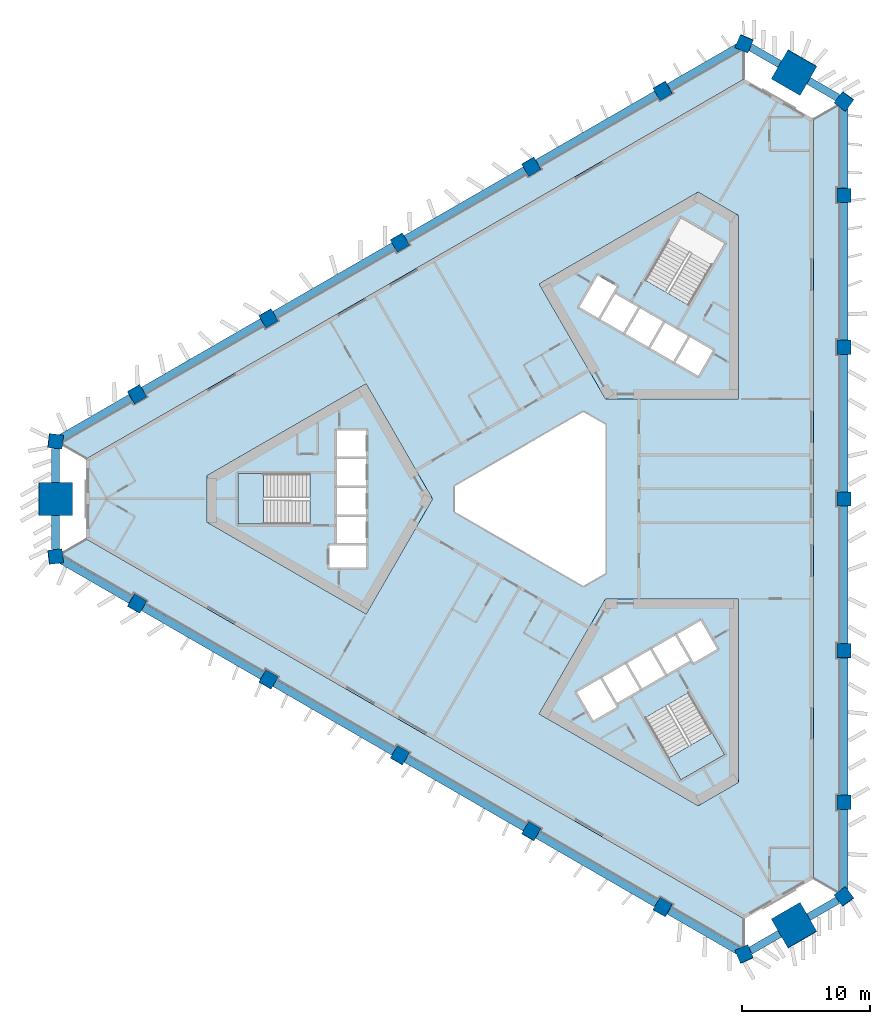
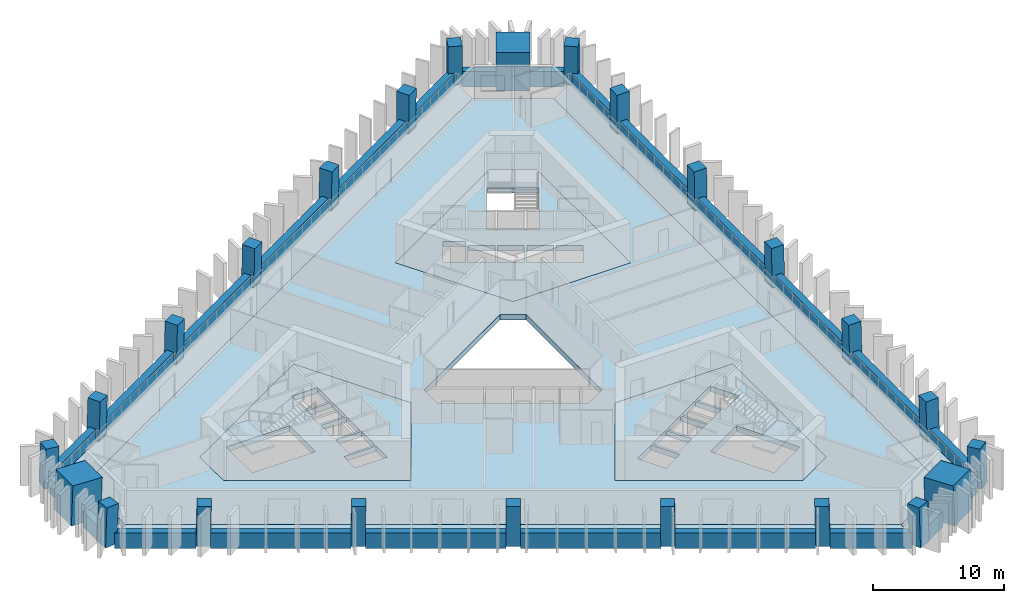
# One storey, part 1 of 11: 24 beams, 24 columns, 9 slabs, 2 elements without a shape of their own.
"""IFC4 building model written with IfcOpenShell, lengths in metres."""

from ifc_helpers import new_model, si_unit, direction, frame, origin, origin_2d, place, context, subcontext, project, spatial, polyline, rectangle, outline, extrude, material, layer, layer_set, material_profile, profile_set, type_object, element, aggregate, save


model = new_model("IFC4")

# Units and contexts
model_context = context("Model", 3, precision=1e-05, world=origin(), true_north=direction((0.0, 1.0)))
body_context = subcontext(model_context, "Body", "Model", "MODEL_VIEW")
ifc_project = project(units=[si_unit("LENGTHUNIT", "METRE"), si_unit("AREAUNIT", "SQUARE_METRE"), si_unit("VOLUMEUNIT", "CUBIC_METRE"), si_unit("PLANEANGLEUNIT", "RADIAN"), si_unit("MASSUNIT", "GRAM", prefix="KILO")], contexts=[model_context])

# Site, building, storey
site_placement = place(None, origin())
site = spatial("IfcSite", under=ifc_project, at=site_placement, CompositionType="ELEMENT")
building_placement = place(site_placement, origin())
building = spatial("IfcBuilding", under=site, at=building_placement, Name="Jabali Bay Hotel Tower and Convention Centre", CompositionType="ELEMENT")
storey_placement = place(building_placement, frame((0.0, 0.0, 75.800048828125)))
storey = spatial("IfcBuildingStorey", under=building, at=storey_placement, Name="L17", CompositionType="ELEMENT", Elevation=75.800048828125)

# Columns
ifc_material_1 = material(Name="Concrete C60", Category="concrete")
ifc_material_profile_1 = material_profile(ifc_material_1, rectangle(XDim=1.10009765625, YDim=1.10009765625, at=origin_2d()), Name="Frame column 1100")
ifc_profile_set_1 = profile_set([ifc_material_profile_1], Name="Concrete C60")
column_type_1 = type_object("IfcColumnType", Name="Frame column 1100", PredefinedType="COLUMN", material=ifc_profile_set_1)
column_1_placement = place(storey_placement, frame((83.96484375, 111.878662109375, 0.0), z_axis=(-0.00837646992, -0.028097450282, 0.999570091609), x_axis=(0.86617163682, 0.499292783589, 0.021293469065)))
element("IfcColumn", 1, at=column_1_placement, inside=storey, type_object=column_type_1, Name="FC2 F1.1 L17", PredefinedType="COLUMN", context=body_context, shape_type="SweptSolid", body=[
    extrude(rectangle(XDim=1.10009765625, YDim=1.10009765625, at=origin_2d()), origin(), (0.0, 0.0, 1.0), 3.70166015625),
])
column_2_placement = place(storey_placement, frame((73.701171875, 105.952880859375, 0.0), z_axis=(0.000857578916, -0.022824792675, 0.999739112668), x_axis=(0.866060219769, 0.499825848733, 0.01066848966)))
element("IfcColumn", 2, at=column_2_placement, inside=storey, type_object=column_type_1, Name="FC2 F1.2 L17", PredefinedType="COLUMN", context=body_context, shape_type="SweptSolid", body=[
    extrude(rectangle(XDim=1.10009765625, YDim=1.10009765625, at=origin_2d()), origin(), (0.0, 0.0, 1.0), 3.700927734375),
])
column_3_placement = place(storey_placement, frame((63.437255859375, 100.027099609375, 0.0), z_axis=(0.010093620709, -0.017482414954, 0.999796221231), x_axis=(-0.499897086036, 0.865849517735, 0.020187025824)))
element("IfcColumn", 3, at=column_3_placement, inside=storey, type_object=column_type_1, Name="FC2 F1.3 L17", PredefinedType="COLUMN", context=body_context, shape_type="SweptSolid", body=[
    extrude(rectangle(XDim=1.10009765625, YDim=1.10009765625, at=origin_2d()), origin(), (0.0, 0.0, 1.0), 3.70068359375),
])
column_4_placement = place(storey_placement, frame((53.173583984375, 94.101318359375, 0.0), z_axis=(0.019328516974, -0.012138044789, 0.999739504221), x_axis=(-0.500200160538, 0.865674608258, 0.020180981521)))
element("IfcColumn", 4, at=column_4_placement, inside=storey, type_object=column_type_1, Name="FC2 F1.4 L17", PredefinedType="COLUMN", context=body_context, shape_type="SweptSolid", body=[
    extrude(rectangle(XDim=1.10009765625, YDim=1.10009765625, at=origin_2d()), origin(), (0.0, 0.0, 1.0), 3.700927734375),
])
for number, where, z_axis, x_axis, name in (
    (5, (42.90966796875, 88.175537109375, 0.0), (0.02855911485, -0.006793507689, 0.999569019734), (-0.500405785832, 0.865555785013, 0.020180003373), "FC2 F1.5 L17"),
    (6, (42.90966796875, 71.824462890625, 0.0), (0.02855911485, 0.006793507689, 0.999569019734), (-0.865319840559, 0.500766443848, 0.021319996519), "FC2 F2.1 L17"),
):
    element("IfcColumn", number, at=place(storey_placement, frame(where, z_axis=z_axis, x_axis=x_axis)), inside=storey, type_object=column_type_1, Name=name, PredefinedType="COLUMN", context=body_context, shape_type="SweptSolid", body=[
        extrude(rectangle(XDim=1.10009765625, YDim=1.10009765625, at=origin_2d()), origin(), (0.0, 0.0, 1.0), 3.70166015625),
    ])
column_5_placement = place(storey_placement, frame((53.173583984375, 65.898681640625, 0.0), z_axis=(0.019328516974, 0.012138044789, 0.999739504221), x_axis=(-0.865694061334, 0.500459928951, 0.010660754407)))
element("IfcColumn", 7, at=column_5_placement, inside=storey, type_object=column_type_1, Name="FC2 F2.2 L17", PredefinedType="COLUMN", context=body_context, shape_type="SweptSolid", body=[
    extrude(rectangle(XDim=1.10009765625, YDim=1.10009765625, at=origin_2d()), origin(), (0.0, 0.0, 1.0), 3.700927734375),
])
column_6_placement = place(storey_placement, frame((63.437255859375, 59.972900390625, 0.0), z_axis=(0.010093620709, 0.017482414954, 0.999796221231), x_axis=(-0.866025993948, 0.499998977805, 1.48331e-07)))
element("IfcColumn", 8, at=column_6_placement, inside=storey, type_object=column_type_1, Name="FC2 F2.3 L17", PredefinedType="COLUMN", context=body_context, shape_type="SweptSolid", body=[
    extrude(rectangle(XDim=1.10009765625, YDim=1.10009765625, at=origin_2d()), origin(), (0.0, 0.0, 1.0), 3.70068359375),
])
column_7_placement = place(storey_placement, frame((73.701171875, 54.047119140625, 0.0), z_axis=(0.000857578916, 0.022824792675, 0.999739112668), x_axis=(-0.499938956565, -0.865825126557, 0.020196285069)))
element("IfcColumn", 9, at=column_7_placement, inside=storey, type_object=column_type_1, Name="FC2 F2.4 L17", PredefinedType="COLUMN", context=body_context, shape_type="SweptSolid", body=[
    extrude(rectangle(XDim=1.10009765625, YDim=1.10009765625, at=origin_2d()), origin(), (0.0, 0.0, 1.0), 3.700927734375),
])
for number, where, z_axis, x_axis, name in (
    (10, (83.96484375, 48.121337890625, 0.0), (-0.00837646992, 0.028097450282, 0.999570091609), (-0.49967642562, -0.865977626468, 0.020154903518), "FC2 F2.5 L17"),
    (11, (98.125244140625, 56.296875, 0.0), (-0.020182659751, 0.021303918626, 0.999569308901), (0.000228267203, -0.99977282903, 0.021312865295), "FC2 F0.1 L17"),
):
    element("IfcColumn", number, at=place(storey_placement, frame(where, z_axis=z_axis, x_axis=x_axis)), inside=storey, type_object=column_type_1, Name=name, PredefinedType="COLUMN", context=body_context, shape_type="SweptSolid", body=[
        extrude(rectangle(XDim=1.10009765625, YDim=1.10009765625, at=origin_2d()), origin(), (0.0, 0.0, 1.0), 3.70166015625),
    ])
column_8_placement = place(storey_placement, frame((98.125244140625, 68.1484375, 0.0), z_axis=(-0.020186102726, 0.010620792611, 0.999739826165), x_axis=(0.001532768534, -0.999942070948, 0.010653889845)))
element("IfcColumn", 12, at=column_8_placement, inside=storey, type_object=column_type_1, Name="FC2 F0.2 L17", PredefinedType="COLUMN", context=body_context, shape_type="SweptSolid", body=[
    extrude(rectangle(XDim=1.10009765625, YDim=1.10009765625, at=origin_2d()), origin(), (0.0, 0.0, 1.0), 3.700927734375),
])
column_9_placement = place(storey_placement, frame((98.125244140625, 80.0, 0.0), z_axis=(-0.020187241331, 0.0, 0.99979621688), x_axis=(0.0, -1.0, 0.0)))
element("IfcColumn", 13, at=column_9_placement, inside=storey, type_object=column_type_1, Name="FC2 F0.3 L17", PredefinedType="COLUMN", context=body_context, shape_type="SweptSolid", body=[
    extrude(rectangle(XDim=1.10009765625, YDim=1.10009765625, at=origin_2d()), origin(), (0.0, 0.0, 1.0), 3.70068359375),
])
column_10_placement = place(storey_placement, frame((98.125244140625, 91.8515625, 0.0), z_axis=(-0.020186102726, -0.010620792611, 0.999739826165), x_axis=(0.999795064939, -0.001747430263, 0.020168654147)))
element("IfcColumn", 14, at=column_10_placement, inside=storey, type_object=column_type_1, Name="FC2 F0.4 L17", PredefinedType="COLUMN", context=body_context, shape_type="SweptSolid", body=[
    extrude(rectangle(XDim=1.10009765625, YDim=1.10009765625, at=origin_2d()), origin(), (0.0, 0.0, 1.0), 3.700927734375),
])
column_11_placement = place(storey_placement, frame((98.125244140625, 103.703125, 0.0), z_axis=(-0.020182659751, -0.021303918626, 0.999569308901), x_axis=(0.999796283319, -0.000658319199, 0.020173211851)))
element("IfcColumn", 15, at=column_11_placement, inside=storey, type_object=column_type_1, Name="FC2 F0.5 L17", PredefinedType="COLUMN", context=body_context, shape_type="SweptSolid", body=[
    extrude(rectangle(XDim=1.10009765625, YDim=1.10009765625, at=origin_2d()), origin(), (0.0, 0.0, 1.0), 3.70166015625),
])
for number, where, z_axis, x_axis, name in (
    (16, (98.125244140625, 48.944580078125, 0.0), (-0.020178741915, 0.029015184452, 0.999375273581), (-0.802162067008, -0.597105284228, 0.00113921033), "FC2 V0 L17"),
    (17, (98.125244140625, 111.055419921875, 0.0), (-0.020178741915, -0.029015184452, 0.999375273581), (0.59676531118, 0.801637947342, 0.035323713761), "FC2 V1 L17"),
    (18, (90.33203125, 115.554931640625, 0.0), (-0.015035141917, -0.031982648376, 0.99937533225), (0.918222416047, -0.396063501212, 0.001139156237), "FC2 V2 L17"),
    (19, (36.54248046875, 84.49951171875, 0.0), (0.03521388716, -0.002967462401, 0.999375393092), (-0.99262216983, 0.115990091635, 0.035320342647), "FC2 V3 L17"),
    (20, (36.54248046875, 75.50048828125, 0.0), (0.03521388716, 0.002967462401, 0.999375393092), (-0.116022455211, 0.993245937726, 0.001138893031), "FC2 V4 L17"),
    (21, (90.33203125, 44.445068359375, 0.0), (-0.015035141917, 0.031982648376, 0.99937533225), (0.395779659883, -0.917665959492, 0.035322055612), "FC2 V5 L17"),
):
    element("IfcColumn", number, at=place(storey_placement, frame(where, z_axis=z_axis, x_axis=x_axis)), inside=storey, type_object=column_type_1, Name=name, PredefinedType="COLUMN", context=body_context, shape_type="SweptSolid", body=[
        extrude(rectangle(XDim=1.10009765625, YDim=1.10009765625, at=origin_2d()), origin(), (0.0, 0.0, 1.0), 3.7021484375),
    ])
ifc_material_2 = material(Name="Concrete C70", Category="concrete")
ifc_material_profile_2 = material_profile(ifc_material_2, rectangle(XDim=2.60009765625, YDim=2.60009765625, at=origin_2d()), Name="Mega column 2600")
ifc_profile_set_2 = profile_set([ifc_material_profile_2], Name="Concrete C70")
column_type_2 = type_object("IfcColumnType", Name="Mega column 2600", PredefinedType="COLUMN", material=ifc_profile_set_2)
for number, where, z_axis, x_axis, name in (
    (22, (94.228759765625, 113.30517578125, 0.0), (-0.017607001884, -0.030531992032, 0.999378702468), (0.866279052578, -0.499560409824, 2.461e-09), "MC2 M1 L17"),
    (23, (36.54248046875, 80.0, 0.0), (0.035214042205, 0.0, 0.999379793288), (0.0, 1.0, 0.0), "MC2 M0 L17"),
    (24, (94.228759765625, 46.69482421875, 0.0), (-0.017607001884, 0.030531992032, 0.999378702468), (0.4992500341, -0.865740835585, 0.035244986208), "MC2 M2 L17"),
):
    element("IfcColumn", number, at=place(storey_placement, frame(where, z_axis=z_axis, x_axis=x_axis)), inside=storey, type_object=column_type_2, Name=name, PredefinedType="COLUMN", context=body_context, shape_type="SweptSolid", body=[
        extrude(rectangle(XDim=2.60009765625, YDim=2.60009765625, at=origin_2d()), origin(), (0.0, 0.0, 1.0), 3.7021484375),
    ])

# Beams
ifc_material_profile_3 = material_profile(ifc_material_1, rectangle(XDim=0.60009765625, YDim=1.449951171875, at=origin_2d()), Name="Spandrel 600x1450")
ifc_profile_set_3 = profile_set([ifc_material_profile_3], Name="Concrete C60")
beam_type = type_object("IfcBeamType", Name="Spandrel 600x1450", PredefinedType="SPANDREL", material=ifc_profile_set_3)
beam_1_placement = place(storey_placement, frame((93.09619140625, 113.943603515625, 0.375), z_axis=(-0.866010570869, 0.500025690483, 0.0), x_axis=(-0.500025690483, -0.866010570869, 0.0)))
element("IfcBeam", 25, at=beam_1_placement, inside=storey, type_object=beam_type, Name="Spandrel M1-V2 L17", PredefinedType="SPANDREL", context=body_context, shape_type="SweptSolid", body=[
    extrude(rectangle(XDim=0.60009765625, YDim=1.449951171875, at=origin_2d()), origin(), (0.0, 0.0, 1.0), 2.648193359375),
])
beam_2_placement = place(storey_placement, frame((89.85009765625, 115.267822265625, 0.375), z_axis=(-0.866037258078, -0.4999794672, 0.0), x_axis=(0.4999794672, -0.866037258078, 0.0)))
element("IfcBeam", 26, at=beam_2_placement, inside=storey, type_object=beam_type, Name="Spandrel V2-F1.1 L17", PredefinedType="SPANDREL", context=body_context, shape_type="SweptSolid", body=[
    extrude(rectangle(XDim=0.60009765625, YDim=1.449951171875, at=origin_2d()), origin(), (0.0, 0.0, 1.0), 6.249267578125),
])
for number, where, z_axis, x_axis, name in (
    (27, (83.4853515625, 111.59326171875, 0.375), (-0.866024436505, -0.500001675373, 0.0), (0.500001675373, -0.866024436505, 0.0), "Spandrel F1.1-F1.2 L17"),
    (28, (73.22509765625, 105.66943359375, 0.375), (-0.866024436505, -0.500001675373, 0.0), (0.500001675373, -0.866024436505, 0.0), "Spandrel F1.2-F1.3 L17"),
):
    element("IfcBeam", number, at=place(storey_placement, frame(where, z_axis=z_axis, x_axis=x_axis)), inside=storey, type_object=beam_type, Name=name, PredefinedType="SPANDREL", context=body_context, shape_type="SweptSolid", body=[
        extrude(rectangle(XDim=0.60009765625, YDim=1.449951171875, at=origin_2d()), origin(), (0.0, 0.0, 1.0), 10.74755859375),
    ])
beam_3_placement = place(storey_placement, frame((62.96484375, 99.74560546875, 0.375), z_axis=(-0.866030115373, -0.4999918392, 0.0), x_axis=(0.4999918392, -0.866030115373, 0.0)))
element("IfcBeam", 29, at=beam_3_placement, inside=storey, type_object=beam_type, Name="Spandrel F1.3-F1.4 L17", PredefinedType="SPANDREL", context=body_context, shape_type="SweptSolid", body=[
    extrude(rectangle(XDim=0.60009765625, YDim=1.449951171875, at=origin_2d()), origin(), (0.0, 0.0, 1.0), 10.747802734375),
])
beam_4_placement = place(storey_placement, frame((52.704345703125, 93.82177734375, 0.375), z_axis=(-0.866024436505, -0.500001675373, 0.0), x_axis=(0.500001675373, -0.866024436505, 0.0)))
element("IfcBeam", 30, at=beam_4_placement, inside=storey, type_object=beam_type, Name="Spandrel F1.4-F1.5 L17", PredefinedType="SPANDREL", context=body_context, shape_type="SweptSolid", body=[
    extrude(rectangle(XDim=0.60009765625, YDim=1.449951171875, at=origin_2d()), origin(), (0.0, 0.0, 1.0), 10.74755859375),
])
beam_5_placement = place(storey_placement, frame((42.444091796875, 87.89794921875, 0.375), z_axis=(-0.866020341868, -0.500008767393, 0.0), x_axis=(0.500008767393, -0.866020341868, 0.0)))
element("IfcBeam", 31, at=beam_5_placement, inside=storey, type_object=beam_type, Name="Spandrel F1.5-V3 L17", PredefinedType="SPANDREL", context=body_context, shape_type="SweptSolid", body=[
    extrude(rectangle(XDim=0.60009765625, YDim=1.449951171875, at=origin_2d()), origin(), (0.0, 0.0, 1.0), 6.24951171875),
])
for number, where, z_axis, x_axis, name in (
    (32, (36.5556640625, 83.9482421875, 0.375), (0.0, -1.0, 0.0), (1.0, 0.0, 0.0), "Spandrel V3-M0 L17"),
    (33, (36.5556640625, 78.699951171875, 0.375), (0.0, -1.0, 0.0), (1.0, 0.0, 0.0), "Spandrel M0-V4 L17"),
):
    element("IfcBeam", number, at=place(storey_placement, frame(where, z_axis=z_axis, x_axis=x_axis)), inside=storey, type_object=beam_type, Name=name, PredefinedType="SPANDREL", context=body_context, shape_type="SweptSolid", body=[
        extrude(rectangle(XDim=0.60009765625, YDim=1.449951171875, at=origin_2d()), origin(), (0.0, 0.0, 1.0), 2.648193359375),
    ])
beam_6_placement = place(storey_placement, frame((37.031982421875, 75.226806640625, 0.375), z_axis=(0.866020341868, -0.500008767393, 0.0), x_axis=(0.500008767393, 0.866020341868, 0.0)))
element("IfcBeam", 34, at=beam_6_placement, inside=storey, type_object=beam_type, Name="Spandrel V4-F2.1 L17", PredefinedType="SPANDREL", context=body_context, shape_type="SweptSolid", body=[
    extrude(rectangle(XDim=0.60009765625, YDim=1.449951171875, at=origin_2d()), origin(), (0.0, 0.0, 1.0), 6.24951171875),
])
beam_7_placement = place(storey_placement, frame((43.396728515625, 71.552001953125, 0.375), z_axis=(0.866024436505, -0.500001675373, 0.0), x_axis=(0.500001675373, 0.866024436505, 0.0)))
element("IfcBeam", 35, at=beam_7_placement, inside=storey, type_object=beam_type, Name="Spandrel F2.1-F2.2 L17", PredefinedType="SPANDREL", context=body_context, shape_type="SweptSolid", body=[
    extrude(rectangle(XDim=0.60009765625, YDim=1.449951171875, at=origin_2d()), origin(), (0.0, 0.0, 1.0), 10.74755859375),
])
beam_8_placement = place(storey_placement, frame((53.656982421875, 65.628173828125, 0.375), z_axis=(0.866030115373, -0.4999918392, 0.0), x_axis=(0.4999918392, 0.866030115373, 0.0)))
element("IfcBeam", 36, at=beam_8_placement, inside=storey, type_object=beam_type, Name="Spandrel F2.2-F2.3 L17", PredefinedType="SPANDREL", context=body_context, shape_type="SweptSolid", body=[
    extrude(rectangle(XDim=0.60009765625, YDim=1.449951171875, at=origin_2d()), origin(), (0.0, 0.0, 1.0), 10.747802734375),
])
for number, where, z_axis, x_axis, name in (
    (37, (63.91748046875, 59.704345703125, 0.375), (0.866024436505, -0.500001675373, 0.0), (0.500001675373, 0.866024436505, 0.0), "Spandrel F2.3-F2.4 L17"),
    (38, (74.177734375, 53.780517578125, 0.375), (0.866024436505, -0.500001675373, 0.0), (0.500001675373, 0.866024436505, 0.0), "Spandrel F2.4-F2.5 L17"),
):
    element("IfcBeam", number, at=place(storey_placement, frame(where, z_axis=z_axis, x_axis=x_axis)), inside=storey, type_object=beam_type, Name=name, PredefinedType="SPANDREL", context=body_context, shape_type="SweptSolid", body=[
        extrude(rectangle(XDim=0.60009765625, YDim=1.449951171875, at=origin_2d()), origin(), (0.0, 0.0, 1.0), 10.74755859375),
    ])
beam_9_placement = place(storey_placement, frame((84.43798828125, 47.856689453125, 0.375), z_axis=(0.866037258078, -0.4999794672, 0.0), x_axis=(0.4999794672, 0.866037258078, 0.0)))
element("IfcBeam", 39, at=beam_9_placement, inside=storey, type_object=beam_type, Name="Spandrel F2.5-V5 L17", PredefinedType="SPANDREL", context=body_context, shape_type="SweptSolid", body=[
    extrude(rectangle(XDim=0.60009765625, YDim=1.449951171875, at=origin_2d()), origin(), (0.0, 0.0, 1.0), 6.249267578125),
])
for number, where, z_axis, x_axis, name in (
    (40, (90.802734375, 44.732177734375, 0.375), (0.866010570869, 0.500025690483, 0.0), (-0.500025690483, 0.866010570869, 0.0), "Spandrel V5-M2 L17"),
    (41, (95.347900390625, 47.356201171875, 0.375), (0.866010570869, 0.500025690483, 0.0), (-0.500025690483, 0.866010570869, 0.0), "Spandrel M2-V0 L17"),
):
    element("IfcBeam", number, at=place(storey_placement, frame(where, z_axis=z_axis, x_axis=x_axis)), inside=storey, type_object=beam_type, Name=name, PredefinedType="SPANDREL", context=body_context, shape_type="SweptSolid", body=[
        extrude(rectangle(XDim=0.60009765625, YDim=1.449951171875, at=origin_2d()), origin(), (0.0, 0.0, 1.0), 2.648193359375),
    ])
beam_10_placement = place(storey_placement, frame((98.11767578125, 49.50537109375, 0.375), z_axis=(0.0, 1.0, 0.0), x_axis=(-1.0, 0.0, 0.0)))
element("IfcBeam", 42, at=beam_10_placement, inside=storey, type_object=beam_type, Name="Spandrel V0-F0.1 L17", PredefinedType="SPANDREL", context=body_context, shape_type="SweptSolid", body=[
    extrude(rectangle(XDim=0.60009765625, YDim=1.449951171875, at=origin_2d()), origin(), (0.0, 0.0, 1.0), 6.24951171875),
])
for number, where, z_axis, x_axis, name in (
    (43, (98.11767578125, 56.854736328125, 0.375), (0.0, 1.0, 0.0), (-1.0, 0.0, 0.0), "Spandrel F0.1-F0.2 L17"),
    (44, (98.11767578125, 68.702392578125, 0.375), (0.0, 1.0, 0.0), (-1.0, 0.0, 0.0), "Spandrel F0.2-F0.3 L17"),
    (45, (98.11767578125, 80.550048828125, 0.375), (0.0, 1.0, 0.0), (-1.0, 0.0, 0.0), "Spandrel F0.3-F0.4 L17"),
    (46, (98.11767578125, 92.397705078125, 0.375), (0.0, 1.0, 0.0), (-1.0, 0.0, 0.0), "Spandrel F0.4-F0.5 L17"),
):
    element("IfcBeam", number, at=place(storey_placement, frame(where, z_axis=z_axis, x_axis=x_axis)), inside=storey, type_object=beam_type, Name=name, PredefinedType="SPANDREL", context=body_context, shape_type="SweptSolid", body=[
        extrude(rectangle(XDim=0.60009765625, YDim=1.449951171875, at=origin_2d()), origin(), (0.0, 0.0, 1.0), 10.74755859375),
    ])
beam_11_placement = place(storey_placement, frame((98.11767578125, 104.2451171875, 0.375), z_axis=(0.0, 1.0, 0.0), x_axis=(-1.0, 0.0, 0.0)))
element("IfcBeam", 47, at=beam_11_placement, inside=storey, type_object=beam_type, Name="Spandrel F0.5-V1 L17", PredefinedType="SPANDREL", context=body_context, shape_type="SweptSolid", body=[
    extrude(rectangle(XDim=0.60009765625, YDim=1.449951171875, at=origin_2d()), origin(), (0.0, 0.0, 1.0), 6.24951171875),
])
beam_12_placement = place(storey_placement, frame((97.641357421875, 111.319580078125, 0.375), z_axis=(-0.866010570869, 0.500025690483, 0.0), x_axis=(-0.500025690483, -0.866010570869, 0.0)))
element("IfcBeam", 48, at=beam_12_placement, inside=storey, type_object=beam_type, Name="Spandrel V1-M1 L17", PredefinedType="SPANDREL", context=body_context, shape_type="SweptSolid", body=[
    extrude(rectangle(XDim=0.60009765625, YDim=1.449951171875, at=origin_2d()), origin(), (0.0, 0.0, 1.0), 2.648193359375),
])

# Slabs
ifc_material_3 = material(Name="Concrete C40", Category="concrete")
ifc_layer_1 = layer(ifc_material_3, 0.5)
ifc_layer_set_1 = layer_set([ifc_layer_1], Name="Concrete C40")
slab_type_1 = type_object("IfcSlabType", Name="Core floor slab 500", PredefinedType="FLOOR", material=ifc_layer_set_1)
slab_1_placement = place(storey_placement, frame((0.0, 0.0, -0.5)))
element("IfcSlab", 49, at=slab_1_placement, inside=storey, type_object=slab_type_1, Name="Core floor slab 1 L17", PredefinedType="FLOOR", context=body_context, shape_type="SweptSolid", body=[
    extrude(outline(polyline([(66.0, 80.0), (60.81005859375, 88.9892578125), (48.39697265625, 81.82275390625), (48.39697265625, 78.17724609375), (60.81005859375, 71.0107421875), (66.0, 80.0)]), holes=[polyline([(60.800048828125, 74.64990234375), (60.800048828125, 76.35009765625), (57.949951171875, 76.35009765625), (57.949951171875, 74.64990234375), (60.800048828125, 74.64990234375)]), polyline([(58.52001953125, 76.550048828125), (60.800048828125, 76.550048828125), (60.800048828125, 78.60009765625), (58.52001953125, 78.60009765625), (58.52001953125, 76.550048828125)]), polyline([(58.52001953125, 78.800048828125), (60.800048828125, 78.800048828125), (60.800048828125, 80.85009765625), (58.52001953125, 80.85009765625), (58.52001953125, 78.800048828125)]), polyline([(56.409912109375, 81.97509765625), (50.820068359375, 81.97509765625), (50.820068359375, 78.02490234375), (56.409912109375, 78.02490234375), (56.409912109375, 81.97509765625)]), polyline([(58.52001953125, 81.050048828125), (60.800048828125, 81.050048828125), (60.800048828125, 83.10009765625), (58.52001953125, 83.10009765625), (58.52001953125, 81.050048828125)]), polyline([(58.52001953125, 83.300048828125), (60.800048828125, 83.300048828125), (60.800048828125, 85.35009765625), (58.52001953125, 85.35009765625), (58.52001953125, 83.300048828125)])]), origin(), (0.0, 0.0, 1.0), 0.5),
])
slab_2_placement = place(storey_placement, frame((0.0, 0.0, -0.5)))
element("IfcSlab", 50, at=slab_2_placement, inside=storey, type_object=slab_type_1, Name="Core floor slab 2 L17", PredefinedType="FLOOR", context=body_context, shape_type="SweptSolid", body=[
    extrude(outline(polyline([(79.5, 87.794189453125), (89.8798828125, 87.794189453125), (89.8798828125, 102.127685546875), (86.72314453125, 103.9501953125), (74.31005859375, 96.78369140625), (79.5, 87.794189453125)]), holes=[polyline([(84.957763671875, 90.6474609375), (86.733154296875, 89.62255859375), (87.873291015625, 91.59716796875), (86.097900390625, 92.6220703125), (84.957763671875, 90.6474609375)]), polyline([(84.1494140625, 93.7470703125), (83.00927734375, 91.7724609375), (84.78466796875, 90.74755859375), (85.924560546875, 92.72216796875), (84.1494140625, 93.7470703125)]), polyline([(82.20068359375, 94.8720703125), (81.060791015625, 92.8974609375), (82.836181640625, 91.87255859375), (83.97607421875, 93.84716796875), (82.20068359375, 94.8720703125)]), polyline([(79.1123046875, 94.0224609375), (80.887451171875, 92.99755859375), (82.027587890625, 94.97216796875), (80.252197265625, 95.9970703125), (79.1123046875, 94.0224609375)]), polyline([(78.891845703125, 97.440673828125), (77.466796875, 94.97265625), (78.93896484375, 94.12255859375), (80.364013671875, 96.5908203125), (78.891845703125, 97.440673828125)]), polyline([(82.584716796875, 97.0869140625), (86.00537109375, 95.11181640625), (88.80029296875, 99.952880859375), (85.379638671875, 101.927978515625), (82.584716796875, 97.0869140625)])]), origin(), (0.0, 0.0, 1.0), 0.5),
])
slab_3_placement = place(storey_placement, frame((0.0, 0.0, -0.5)))
element("IfcSlab", 51, at=slab_3_placement, inside=storey, type_object=slab_type_1, Name="Core floor slab 3 L17", PredefinedType="FLOOR", context=body_context, shape_type="SweptSolid", body=[
    extrude(outline(polyline([(79.5, 72.205810546875), (74.31005859375, 63.21630859375), (86.72314453125, 56.0498046875), (89.8798828125, 57.872314453125), (89.8798828125, 72.205810546875), (79.5, 72.205810546875)]), holes=[polyline([(82.584716796875, 62.9130859375), (85.379638671875, 58.072021484375), (88.80029296875, 60.047119140625), (86.00537109375, 64.88818359375), (82.584716796875, 62.9130859375)]), polyline([(80.365478515625, 63.756591796875), (79.090576171875, 65.96484375), (77.27197265625, 64.9150390625), (78.546875, 62.70654296875), (80.365478515625, 63.756591796875)]), polyline([(82.17919921875, 65.115478515625), (81.0390625, 67.08984375), (79.263671875, 66.06494140625), (80.40380859375, 64.09033203125), (82.17919921875, 65.115478515625)]), polyline([(82.98779296875, 68.21484375), (81.21240234375, 67.18994140625), (82.352294921875, 65.21533203125), (84.127685546875, 66.240478515625), (82.98779296875, 68.21484375)]), polyline([(86.076171875, 67.365478515625), (84.936279296875, 69.33984375), (83.160888671875, 68.31494140625), (84.30078125, 66.34033203125), (86.076171875, 67.365478515625)]), polyline([(88.203125, 68.281494140625), (86.927978515625, 70.489990234375), (85.109375, 69.43994140625), (86.384521484375, 67.231689453125), (88.203125, 68.281494140625)])]), origin(), (0.0, 0.0, 1.0), 0.5),
])
ifc_layer_2 = layer(ifc_material_3, 0.199951171875)
ifc_layer_set_2 = layer_set([ifc_layer_2], Name="Concrete C40")
slab_type_2 = type_object("IfcSlabType", Name="Loggia slab 200", PredefinedType="FLOOR", material=ifc_layer_set_2)
slab_4_placement = place(storey_placement, frame((0.0, 0.0, -0.199951171875)))
element("IfcSlab", 52, at=slab_4_placement, inside=storey, type_object=slab_type_2, Name="Loggia slab east face L17", PredefinedType="FLOOR", context=body_context, shape_type="SweptSolid", body=[
    extrude(outline(polyline([(95.725341796875, 109.669677734375), (97.606689453125, 110.755859375), (97.825439453125, 110.593017578125), (97.825439453125, 104.253173828125), (97.575439453125, 104.253173828125), (97.575439453125, 103.1533203125), (97.825439453125, 103.1533203125), (97.825439453125, 92.401611328125), (97.575439453125, 92.401611328125), (97.575439453125, 91.301513671875), (97.825439453125, 91.301513671875), (97.825439453125, 80.550048828125), (97.575439453125, 80.550048828125), (97.575439453125, 79.449951171875), (97.825439453125, 79.449951171875), (97.825439453125, 68.698486328125), (97.575439453125, 68.698486328125), (97.575439453125, 67.598388671875), (97.825439453125, 67.598388671875), (97.825439453125, 56.8466796875), (97.575439453125, 56.8466796875), (97.575439453125, 55.746826171875), (97.825439453125, 55.746826171875), (97.825439453125, 49.406982421875), (97.606689453125, 49.244140625), (95.725341796875, 50.330322265625), (95.725341796875, 109.669677734375)])), origin(), (0.0, 0.0, 1.0), 0.199951171875),
])
slab_5_placement = place(storey_placement, frame((0.0, 0.0, -0.199951171875)))
element("IfcSlab", 53, at=slab_5_placement, inside=storey, type_object=slab_type_2, Name="Loggia slab north-west face L17", PredefinedType="FLOOR", context=body_context, shape_type="SweptSolid", body=[
    extrude(outline(polyline([(38.942626953125, 83.11376953125), (37.061279296875, 84.199951171875), (37.093017578125, 84.470703125), (42.58349609375, 87.640625), (42.70849609375, 87.42431640625), (43.6611328125, 87.97412109375), (43.5361328125, 88.190673828125), (52.84716796875, 93.56640625), (52.97216796875, 93.35009765625), (53.9248046875, 93.89990234375), (53.7998046875, 94.116455078125), (63.111083984375, 99.492431640625), (63.236083984375, 99.27587890625), (64.188720703125, 99.825927734375), (64.063720703125, 100.042236328125), (73.374755859375, 105.418212890625), (73.499755859375, 105.20166015625), (74.452392578125, 105.751708984375), (74.327392578125, 105.968017578125), (83.638671875, 111.343994140625), (83.763671875, 111.12744140625), (84.71630859375, 111.677490234375), (84.59130859375, 111.89404296875), (90.081787109375, 115.06396484375), (90.33203125, 114.955810546875), (90.33203125, 112.783447265625), (38.942626953125, 83.11376953125)])), origin(), (0.0, 0.0, 1.0), 0.199951171875),
])
slab_6_placement = place(storey_placement, frame((0.0, 0.0, -0.199951171875)))
element("IfcSlab", 54, at=slab_6_placement, inside=storey, type_object=slab_type_2, Name="Loggia slab south-west face L17", PredefinedType="FLOOR", context=body_context, shape_type="SweptSolid", body=[
    extrude(outline(polyline([(90.33203125, 47.216552734375), (90.33203125, 45.044189453125), (90.081787109375, 44.93603515625), (84.59130859375, 48.10595703125), (84.71630859375, 48.322509765625), (83.763671875, 48.87255859375), (83.638671875, 48.656005859375), (74.327392578125, 54.031982421875), (74.452392578125, 54.248291015625), (73.499755859375, 54.79833984375), (73.374755859375, 54.581787109375), (64.063720703125, 59.957763671875), (64.188720703125, 60.174072265625), (63.236083984375, 60.72412109375), (63.111083984375, 60.507568359375), (53.7998046875, 65.883544921875), (53.9248046875, 66.10009765625), (52.97216796875, 66.64990234375), (52.84716796875, 66.43359375), (43.5361328125, 71.809326171875), (43.6611328125, 72.02587890625), (42.70849609375, 72.57568359375), (42.58349609375, 72.359375), (37.093017578125, 75.529296875), (37.061279296875, 75.800048828125), (38.942626953125, 76.88623046875), (90.33203125, 47.216552734375)])), origin(), (0.0, 0.0, 1.0), 0.199951171875),
])
ifc_layer_3 = layer(ifc_material_3, 0.5)
ifc_layer_set_3 = layer_set([ifc_layer_3], Name="Concrete C40")
slab_type_3 = type_object("IfcSlabType", Name="Post-tensioned flat slab 500", PredefinedType="FLOOR", material=ifc_layer_set_3)
slab_7_placement = place(storey_placement, frame((0.0, 0.0, -0.5)))
element("IfcSlab", 55, at=slab_7_placement, inside=storey, type_object=slab_type_3, Name="Floor slab L17", PredefinedType="FLOOR", context=body_context, shape_type="SweptSolid", body=[
    extrude(outline(polyline([(90.33203125, 112.783447265625), (95.725341796875, 109.669677734375), (95.725341796875, 50.330322265625), (90.33203125, 47.216552734375), (38.942626953125, 76.88623046875), (38.942626953125, 83.11376953125), (90.33203125, 112.783447265625)]), holes=[polyline([(67.73193359375, 79.0), (77.76806640625, 73.205810546875), (79.5, 74.205810546875), (79.5, 85.794189453125), (77.76806640625, 86.794189453125), (67.73193359375, 81.0), (67.73193359375, 79.0)]), polyline([(48.39697265625, 78.17724609375), (60.81005859375, 71.0107421875), (66.0, 80.0), (60.81005859375, 88.9892578125), (48.39697265625, 81.82275390625), (48.39697265625, 78.17724609375)]), polyline([(89.8798828125, 102.127685546875), (86.72314453125, 103.9501953125), (74.31005859375, 96.78369140625), (79.5, 87.794189453125), (89.8798828125, 87.794189453125), (89.8798828125, 102.127685546875)]), polyline([(74.31005859375, 63.21630859375), (86.72314453125, 56.0498046875), (89.8798828125, 57.872314453125), (89.8798828125, 72.205810546875), (79.5, 72.205810546875), (74.31005859375, 63.21630859375)])]), origin(), (0.0, 0.0, 1.0), 0.5),
])

# Stair, slab
stair_type = type_object("IfcStairType", Name="Exit stair 1900", PredefinedType="HALF_TURN_STAIR", material=ifc_material_3)
stair_1_placement = place(storey_placement, origin())
stair_1 = element("IfcStair", 56, at=stair_1_placement, inside=storey, type_object=stair_type, Name="L17 Exit Stair 1", PredefinedType="HALF_TURN_STAIR")
ifc_layer_4 = layer(ifc_material_3, 0.199951171875)
ifc_layer_set_4 = layer_set([ifc_layer_4], Name="Concrete C40")
slab_type_4 = type_object("IfcSlabType", Name="Stair landing 200", PredefinedType="LANDING", material=ifc_layer_set_4)
slab_8_placement = place(storey_placement, frame((0.0, 0.0, 1.64990234375)))
slab_8 = element("IfcSlab", 57, at=slab_8_placement, type_object=slab_type_4, Name="ST1 landing 1", PredefinedType="LANDING", context=body_context, shape_type="SweptSolid", body=[
    extrude(outline(polyline([(52.782958984375, 81.97509765625), (50.820068359375, 81.97509765625), (50.820068359375, 78.02490234375), (52.782958984375, 78.02490234375), (52.782958984375, 81.97509765625)])), origin(), (0.0, 0.0, 1.0), 0.199951171875),
])
aggregate(stair_1, [slab_8])

stair_2_placement = place(storey_placement, origin())
stair_2 = element("IfcStair", 58, at=stair_2_placement, inside=storey, type_object=stair_type, Name="L17 Exit Stair 3", PredefinedType="HALF_TURN_STAIR")
slab_9_placement = place(storey_placement, frame((0.0, 0.0, 1.64990234375)))
slab_9 = element("IfcSlab", 59, at=slab_9_placement, type_object=slab_type_4, Name="ST3 landing 1", PredefinedType="LANDING", context=body_context, shape_type="SweptSolid", body=[
    extrude(outline(polyline([(84.398193359375, 59.77197265625), (85.379638671875, 58.072021484375), (88.80029296875, 60.047119140625), (87.81884765625, 61.7470703125), (84.398193359375, 59.77197265625)])), origin(), (0.0, 0.0, 1.0), 0.199951171875),
])
aggregate(stair_2, [slab_9])

save(model, "model.ifc")
